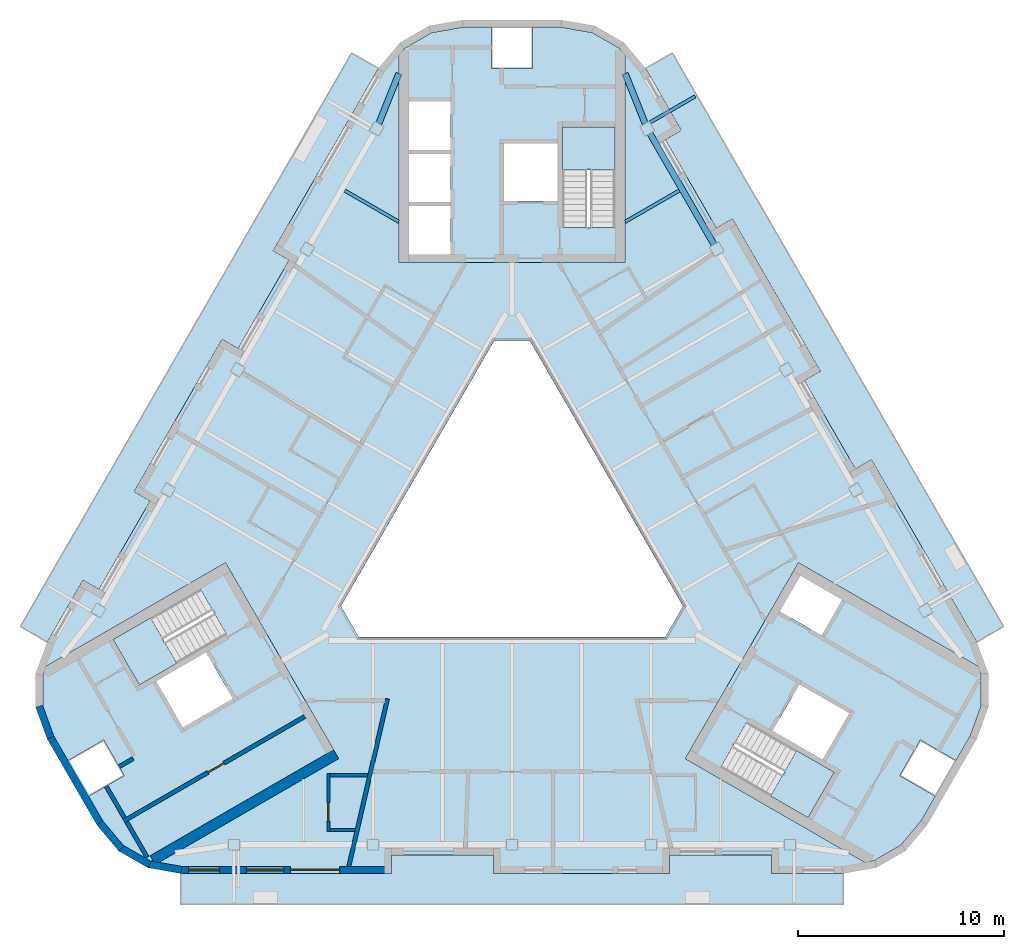
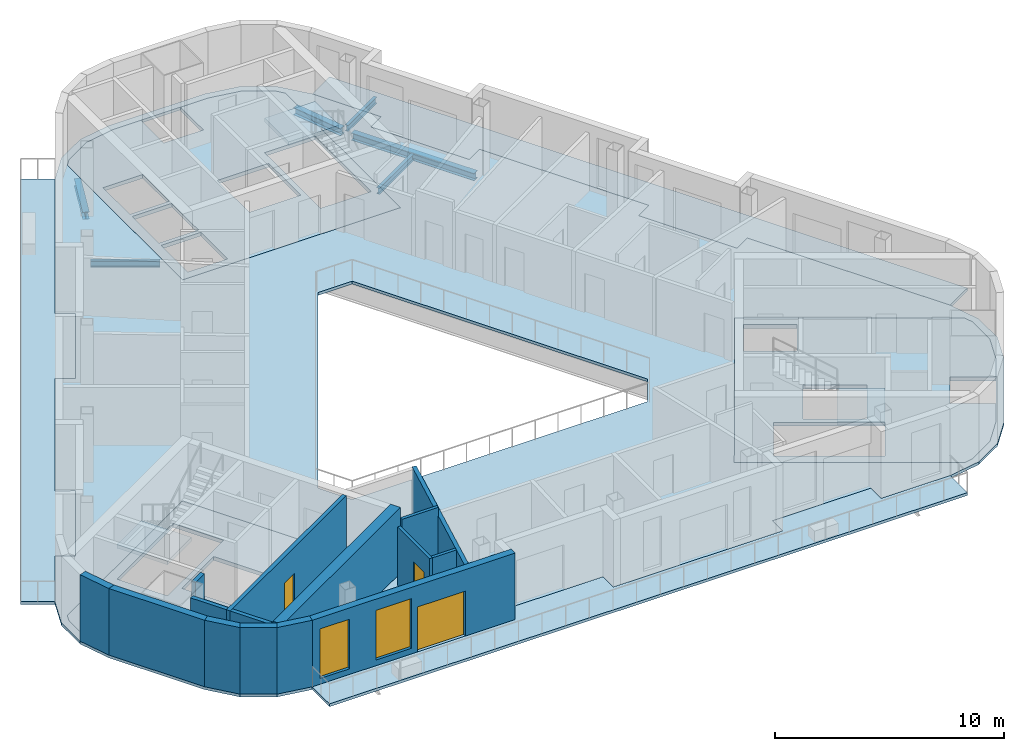
# One storey, part 2 of 12: 15 walls, 10 slabs, 6 beams, 3 doors, 2 windows, 5 openings, 3 elements without a shape of their own.
"""IFC4 building model written with IfcOpenShell, lengths in metres."""

import ifcopenshell
import ifcopenshell.guid

model = None  # the IFC model being written
_history = None  # IfcOwnerHistory: only IFC2X3 demands one
_inside = {}  # id of a spatial element -> (the spatial element, [elements in it])
_under = {}  # id of a project, library or spatial element -> (it, [spatial elements below it])
_declared = {}  # id of a project -> (the project, [libraries it declares])
_typed = {}  # id of a type object -> (the type object, [elements of that type])
_made_of = {}  # id of a material, layer set ... -> (it, [elements and type objects made of it])


def new_model(schema):
    """Start an empty IFC model of exactly this schema.

    Asked for "IFC4X3", IfcOpenShell would pick the latest addendum, in which some entities
    have other attributes; the version numbers below select the first issue.
    IFC2X3 requires an IfcOwnerHistory on every rooted entity: one is made here for all.
    """
    global model, _history
    if schema == "IFC4X3":
        model = ifcopenshell.file(schema_version=(4, 3, 0, 0))
    else:
        model = ifcopenshell.file(schema=schema)
    _inside.clear()
    _under.clear()
    _declared.clear()
    _typed.clear()
    _made_of.clear()
    _history = None
    if model.schema == "IFC2X3":
        org = make("IfcOrganization", Name="unknown")
        user = make(
            "IfcPersonAndOrganization",
            ThePerson=make("IfcPerson", FamilyName="unknown"),
            TheOrganization=org,
        )
        app = make(
            "IfcApplication",
            ApplicationDeveloper=org,
            Version="unknown",
            ApplicationFullName="unknown",
            ApplicationIdentifier="unknown",
        )
        _history = make(
            "IfcOwnerHistory",
            OwningUser=user,
            OwningApplication=app,
            ChangeAction="ADDED",
            CreationDate=0,
        )
    return model


def make(cls, **values):
    """One entity of the class cls with the attributes given. An attribute that is None is left unset."""
    return model.create_entity(
        cls, **{name: value for name, value in values.items() if value is not None}
    )


def rooted(cls, **values):
    """An entity with a GlobalId (a new one), such as an element, a storey or a relation."""
    return make(cls, GlobalId=ifcopenshell.guid.new(), OwnerHistory=_history, **values)


def si_unit(unit_type, name, prefix=None):
    """IfcSIUnit, for example si_unit("LENGTHUNIT", "METRE", prefix="MILLI")."""
    return make("IfcSIUnit", UnitType=unit_type, Prefix=prefix, Name=name)


def assignment(units):
    """IfcUnitAssignment: the units of a project."""
    return None if units is None else make("IfcUnitAssignment", Units=units)


def point(xyz):
    """IfcCartesianPoint."""
    return None if xyz is None else make("IfcCartesianPoint", Coordinates=xyz)


def direction(xyz):
    """IfcDirection."""
    return None if xyz is None else make("IfcDirection", DirectionRatios=xyz)


def frame(location, z_axis=None, x_axis=None):
    """IfcAxis2Placement3D, a coordinate frame: its origin and axes. An axis left out is left unset."""
    return make(
        "IfcAxis2Placement3D",
        Location=point(location),
        Axis=direction(z_axis),
        RefDirection=direction(x_axis),
    )


def frame_2d(location, x_axis=None):
    """IfcAxis2Placement2D, a coordinate frame in the plane: its origin and x axis."""
    return make(
        "IfcAxis2Placement2D", Location=point(location), RefDirection=direction(x_axis)
    )


def origin():
    """The frame at (0, 0, 0) with its axes left unset."""
    return frame((0.0, 0.0, 0.0))


def origin_2d():
    """The frame at (0, 0) in the plane with its x axis left unset."""
    return frame_2d((0.0, 0.0))


def place(relative_to, where):
    """IfcLocalPlacement: puts the frame where relative to a parent placement (None: the world)."""
    return make(
        "IfcLocalPlacement", PlacementRelTo=relative_to, RelativePlacement=where
    )


def context(
    kind, dimensions, precision=None, world=None, true_north=None, identifier=None
):
    """IfcGeometricRepresentationContext, for example the 3D "Model" context."""
    return make(
        "IfcGeometricRepresentationContext",
        ContextIdentifier=identifier,
        ContextType=kind,
        CoordinateSpaceDimension=dimensions,
        Precision=precision,
        WorldCoordinateSystem=world,
        TrueNorth=true_north,
    )


def subcontext(parent, identifier, kind, view, scale=None):
    """IfcGeometricRepresentationSubContext, for example "Body" below "Model"."""
    return make(
        "IfcGeometricRepresentationSubContext",
        ContextIdentifier=identifier,
        ContextType=kind,
        ParentContext=parent,
        TargetScale=scale,
        TargetView=view,
    )


def project(units=None, contexts=None):
    """IfcProject with its units and contexts."""
    return rooted(
        "IfcProject",
        Name="project",
        RepresentationContexts=contexts,
        UnitsInContext=assignment(units),
    )


def spatial(cls, under=None, at=None, **own):
    """A site, building, storey or space (cls), placed at a placement, below another one or the project."""
    s = rooted(cls, ObjectPlacement=at, **own)
    if under is not None:
        _under.setdefault(under.id(), (under, []))[1].append(s)
    return s


def polyline(points):
    """IfcPolyline through the points."""
    return make("IfcPolyline", Points=[point(p) for p in points])


def profile(cls, at=None, kind="AREA", **sizes):
    """A parametric profile (cls). Its sizes go by their IFC names, for example OverallWidth=200.0."""
    return make(cls, ProfileType=kind, Position=at, **sizes)


def rectangle(**sizes):
    """IfcRectangleProfileDef."""
    return profile("IfcRectangleProfileDef", **sizes)


def i_section(**sizes):
    """IfcIShapeProfileDef."""
    return profile("IfcIShapeProfileDef", **sizes)


def outline(outer, holes=None, kind="AREA"):
    """IfcArbitraryClosedProfileDef: a profile drawn as a closed curve; with holes, ...WithVoids."""
    if holes is None:
        return make("IfcArbitraryClosedProfileDef", ProfileType=kind, OuterCurve=outer)
    return make(
        "IfcArbitraryProfileDefWithVoids",
        ProfileType=kind,
        OuterCurve=outer,
        InnerCurves=holes,
    )


def extrude(swept, where, along, depth):
    """IfcExtrudedAreaSolid: the profile swept, set in the frame where, extruded along a direction by depth."""
    return make(
        "IfcExtrudedAreaSolid",
        SweptArea=swept,
        Position=where,
        ExtrudedDirection=direction(along),
        Depth=depth,
    )


def shape(context_of_items, identifier, shape_type, items):
    """IfcShapeRepresentation: the items that make up one representation, for example the "Body"."""
    return make(
        "IfcShapeRepresentation",
        ContextOfItems=context_of_items,
        RepresentationIdentifier=identifier,
        RepresentationType=shape_type,
        Items=items,
    )


def material(Name=None, Category=None):
    """IfcMaterial."""
    return make("IfcMaterial", Name=Name, Category=Category)


def layer(
    of_material, thickness, ventilated=None, Name=None, Category=None, Priority=None
):
    """IfcMaterialLayer: one layer of a wall or slab, of a material (None: an air gap)."""
    return make(
        "IfcMaterialLayer",
        Material=of_material,
        LayerThickness=thickness,
        IsVentilated=ventilated,
        Name=Name,
        Category=Category,
        Priority=Priority,
    )


def layer_set(layers, Name=None):
    """IfcMaterialLayerSet."""
    return make("IfcMaterialLayerSet", MaterialLayers=layers, LayerSetName=Name)


def material_profile(
    of_material, cross_section, Name=None, Category=None, Priority=None
):
    """IfcMaterialProfile: a cross section and its material."""
    return make(
        "IfcMaterialProfile",
        Name=Name,
        Material=of_material,
        Profile=cross_section,
        Priority=Priority,
        Category=Category,
    )


def profile_set(profiles, Name=None, composite=None):
    """IfcMaterialProfileSet."""
    return make(
        "IfcMaterialProfileSet",
        Name=Name,
        MaterialProfiles=profiles,
        CompositeProfile=composite,
    )


def made_of(thing, what):
    """Note that an element or type object is made of a material, layer set ...; save() writes the relation."""
    if what is not None:
        _made_of.setdefault(what.id(), (what, []))[1].append(thing)
    return thing


def type_object(cls, material=None, **own):
    """A type object (cls), such as IfcWallType, which elements share."""
    return made_of(rooted(cls, **own), material)


def element(
    cls,
    number,
    at=None,
    inside=None,
    cuts=None,
    type_object=None,
    material=None,
    context=None,
    identifier="Body",
    shape_type=None,
    held_by="IfcProductDefinitionShape",
    body=None,
    shapes=None,
    **own,
):
    """One element of the class cls, such as IfcWall. Its Tag is "e" and its number.

    at: its placement. inside: the storey or other place that contains it. cuts: it is an
    opening in that element (IfcRelVoidsElement). A single representation is given by context,
    identifier, shape_type and body (its items); several are given by shapes. held_by: the class
    of the entity that holds the representations. save() writes the other relations.
    """
    e = rooted(cls, Tag="e%d" % number, ObjectPlacement=at, **own)
    if body is not None:
        shapes = [shape(context, identifier, shape_type, body)]
    if shapes is not None:
        e.Representation = make(held_by, Representations=shapes)
    if inside is not None:
        _inside.setdefault(inside.id(), (inside, []))[1].append(e)
    if cuts is not None:
        rooted(
            "IfcRelVoidsElement", RelatingBuildingElement=cuts, RelatedOpeningElement=e
        )
    if type_object is not None:
        _typed.setdefault(type_object.id(), (type_object, []))[1].append(e)
    return made_of(e, material)


def fill(opening, filler):
    """IfcRelFillsElement: the door or window that sits in an opening."""
    return rooted(
        "IfcRelFillsElement",
        RelatingOpeningElement=opening,
        RelatedBuildingElement=filler,
    )


def aggregate(whole, parts):
    """IfcRelAggregates: a whole, such as a stair, and the parts it consists of."""
    return rooted("IfcRelAggregates", RelatingObject=whole, RelatedObjects=parts)


def save(model, path):
    """Write the relations noted so far, then the file.

    IfcRelAggregates (storeys below a building ...), IfcRelContainedInSpatialStructure (elements
    in a storey), IfcRelDefinesByType, IfcRelAssociatesMaterial and IfcRelDeclares: one each for
    every whole, place, type object, material and project.
    """
    for whole, parts in _under.values():
        aggregate(whole, parts)
    for where, things in _inside.values():
        rooted(
            "IfcRelContainedInSpatialStructure",
            RelatedElements=things,
            RelatingStructure=where,
        )
    for kind, things in _typed.values():
        rooted("IfcRelDefinesByType", RelatedObjects=things, RelatingType=kind)
    for what, things in _made_of.values():
        rooted("IfcRelAssociatesMaterial", RelatedObjects=things, RelatingMaterial=what)
    for by, libraries in _declared.values():
        rooted("IfcRelDeclares", RelatingContext=by, RelatedDefinitions=libraries)
    model.write(path)


model = new_model("IFC4")

# Units and contexts
model_context = context("Model", 3, precision=1e-05, world=origin(), true_north=direction((0.0, 1.0)))
body_context = subcontext(model_context, "Body", "Model", "MODEL_VIEW")
ifc_project = project(units=[si_unit("LENGTHUNIT", "METRE"), si_unit("AREAUNIT", "SQUARE_METRE"), si_unit("VOLUMEUNIT", "CUBIC_METRE"), si_unit("PLANEANGLEUNIT", "RADIAN"), si_unit("MASSUNIT", "GRAM", prefix="KILO")], contexts=[model_context])

# Site, building, storey
site_placement = place(None, origin())
site = spatial("IfcSite", under=ifc_project, at=site_placement, CompositionType="ELEMENT")
building_placement = place(site_placement, origin())
building = spatial("IfcBuilding", under=site, at=building_placement, Name="Apuvela Tower Hotel", CompositionType="ELEMENT")
storey_placement = place(building_placement, frame((0.0, 0.0, 305.89990234375)))
storey = spatial("IfcBuildingStorey", under=building, at=storey_placement, Name="L76", CompositionType="ELEMENT", Elevation=305.89990234375)

# Beams
ifc_material_1 = material(Name="Steel S355", Category="steel")
ifc_material_profile_1 = material_profile(ifc_material_1, i_section(OverallWidth=0.159912109375, OverallDepth=0.330078125, WebThickness=0.007568359375, FlangeThickness=0.011474609375, at=origin_2d()), Name="IPE 330")
ifc_profile_set_1 = profile_set([ifc_material_profile_1], Name="Steel S355")
beam_type_1 = type_object("IfcBeamType", Name="ENV-BALCONY-BEAM-IPE330", PredefinedType="BEAM", material=ifc_profile_set_1)
beam_1_placement = place(storey_placement, frame((6.711181640625, 19.714599609375, -0.31494140625), z_axis=(0.86602137294, 0.500006981563, 0.0), x_axis=(-0.500006981563, 0.86602137294, 0.0)))
element("IfcBeam", 1, at=beam_1_placement, inside=storey, type_object=beam_type_1, Name="Balcony cantilever beam NE3 L76", PredefinedType="BEAM", context=body_context, shape_type="SweptSolid", body=[
    extrude(i_section(OverallWidth=0.159912109375, OverallDepth=0.330078125, WebThickness=0.007568359375, FlangeThickness=0.011474609375, at=origin_2d()), origin(), (0.0, 0.0, 1.0), 2.525390625),
])
ifc_material_profile_2 = material_profile(ifc_material_1, i_section(OverallWidth=0.159912109375, OverallDepth=0.330078125, WebThickness=0.007568359375, FlangeThickness=0.011474609375, at=origin_2d()), Name="IPE 330")
ifc_profile_set_2 = profile_set([ifc_material_profile_2], Name="Steel S355")
beam_type_2 = type_object("IfcBeamType", Name="STR-B floor beam IPE 330", PredefinedType="BEAM", material=ifc_profile_set_2)
for number, where, z_axis, x_axis, name in (
    (2, (8.133056640625, 16.40234375, -0.31494140625), (-0.86601576024, -0.500016702737, 0.0), (0.500016702737, -0.86601576024, 0.0), "Floor beam B1 NE8"),
    (3, (-8.133056640625, 16.40234375, -0.31494140625), (0.86601576024, -0.500016702737, 0.0), (0.500016702737, 0.86601576024, 0.0), "Floor beam B1 NW2"),
):
    element("IfcBeam", number, at=place(storey_placement, frame(where, z_axis=z_axis, x_axis=x_axis)), inside=storey, type_object=beam_type_2, Name=name, PredefinedType="BEAM", context=body_context, shape_type="SweptSolid", body=[
        extrude(i_section(OverallWidth=0.159912109375, OverallDepth=0.330078125, WebThickness=0.007568359375, FlangeThickness=0.011474609375, at=origin_2d()), origin(), (0.0, 0.0, 1.0), 3.04052734375),
    ])
ifc_material_profile_3 = material_profile(ifc_material_1, i_section(OverallWidth=0.300048828125, OverallDepth=0.389892578125, WebThickness=0.010986328125, FlangeThickness=0.01904296875, at=origin_2d()), Name="HE 400 A")
ifc_profile_set_3 = profile_set([ifc_material_profile_3], Name="Steel S355")
beam_type_3 = type_object("IfcBeamType", Name="STR-SB spandrel beam HE 400 A", PredefinedType="SPANDREL", material=ifc_profile_set_3)
beam_2_placement = place(storey_placement, frame((9.815185546875, 13.788818359375, -0.344970703125), z_axis=(-0.499995880841, 0.866027781969, 0.0), x_axis=(-0.866027781969, -0.499995880841, 0.0)))
element("IfcBeam", 4, at=beam_2_placement, inside=storey, type_object=beam_type_3, Name="Spandrel beam SB4 NE4", PredefinedType="SPANDREL", context=body_context, shape_type="SweptSolid", body=[
    extrude(i_section(OverallWidth=0.300048828125, OverallDepth=0.389892578125, WebThickness=0.010986328125, FlangeThickness=0.01904296875, at=origin_2d()), origin(), (0.0, 0.0, 1.0), 6.208984375),
])
for number, where, z_axis, x_axis, name in (
    (5, (6.47021484375, 19.662109375, -0.344970703125), (-0.37090786597, 0.928669669453, 0.0), (-0.928669669453, -0.37090786597, 0.0), "Spandrel beam SB4 NE5-N"),
    (6, (-6.47021484375, 19.662109375, -0.344970703125), (0.37090786597, 0.928669669453, 0.0), (-0.928669669453, 0.37090786597, 0.0), "Spandrel beam SB4 NW1-N"),
):
    element("IfcBeam", number, at=place(storey_placement, frame(where, z_axis=z_axis, x_axis=x_axis)), inside=storey, type_object=beam_type_3, Name=name, PredefinedType="SPANDREL", context=body_context, shape_type="SweptSolid", body=[
        extrude(i_section(OverallWidth=0.300048828125, OverallDepth=0.389892578125, WebThickness=0.010986328125, FlangeThickness=0.01904296875, at=origin_2d()), origin(), (0.0, 0.0, 1.0), 2.61572265625),
    ])

# Slabs
ifc_material_2 = material(Name="Concrete C50/60", Category="concrete")
ifc_layer_1 = layer(ifc_material_2, 0.199951171875)
ifc_layer_set_1 = layer_set([ifc_layer_1], Name="COR-FLOOR-200")
slab_type_1 = type_object("IfcSlabType", Name="COR-FLOOR-200", PredefinedType="FLOOR", material=ifc_layer_set_1)
slab_1_placement = place(storey_placement, frame((0.0, 0.0, -0.199951171875)))
element("IfcSlab", 7, at=slab_1_placement, inside=storey, type_object=slab_type_1, Name="Core floor N", PredefinedType="FLOOR", context=body_context, shape_type="SweptSolid", body=[
    extrude(outline(polyline([(5.5, 22.98046875), (5.216552734375, 23.318115234375), (3.908203125, 24.073486328125), (2.389892578125, 24.34130859375), (1.0, 24.34130859375), (1.0, 22.34130859375), (-1.0, 22.34130859375), (-1.0, 24.34130859375), (-2.389892578125, 24.34130859375), (-3.908203125, 24.073486328125), (-5.216552734375, 23.318115234375), (-5.5, 22.98046875), (-5.5, 12.89990234375), (5.5, 12.89990234375), (5.5, 22.98046875)]), holes=[polyline([(-3.0, 13.300048828125), (-5.0, 13.300048828125), (-5.0, 15.639892578125), (-3.0, 15.639892578125), (-3.0, 13.300048828125)]), polyline([(-3.0, 15.840087890625), (-5.0, 15.840087890625), (-5.0, 18.179931640625), (-3.0, 18.179931640625), (-3.0, 15.840087890625)]), polyline([(5.0, 14.60595703125), (2.449951171875, 14.60595703125), (2.449951171875, 19.5), (5.0, 19.5), (5.0, 14.60595703125)]), polyline([(2.199951171875, 18.699951171875), (2.199951171875, 15.89990234375), (-0.39990234375, 15.89990234375), (-0.39990234375, 18.699951171875), (2.199951171875, 18.699951171875)]), polyline([(-3.0, 20.719970703125), (-3.0, 18.3798828125), (-5.0, 18.3798828125), (-5.0, 20.719970703125), (-3.0, 20.719970703125)])]), origin(), (0.0, 0.0, 1.0), 0.199951171875),
])
slab_2_placement = place(storey_placement, frame((0.0, 0.0, -0.199951171875)))
element("IfcSlab", 8, at=slab_2_placement, inside=storey, type_object=slab_type_1, Name="Core floor SW", PredefinedType="FLOOR", context=body_context, shape_type="SweptSolid", body=[
    extrude(outline(polyline([(-22.651611328125, -6.72705078125), (-22.802490234375, -7.141357421875), (-22.802490234375, -8.652099609375), (-22.275146484375, -10.10107421875), (-21.580078125, -11.3046875), (-19.84814453125, -10.3046875), (-18.84814453125, -12.03662109375), (-20.580078125, -13.03662109375), (-19.88525390625, -14.240234375), (-18.894287109375, -15.42138671875), (-17.585693359375, -16.1767578125), (-17.151611328125, -16.25341796875), (-8.421630859375, -11.213134765625), (-13.921630859375, -1.68701171875), (-22.651611328125, -6.72705078125)]), holes=[polyline([(-13.874267578125, -5.18115234375), (-18.112548828125, -7.628173828125), (-19.387451171875, -5.419921875), (-15.149169921875, -2.972900390625), (-13.874267578125, -5.18115234375)]), polyline([(-13.56982421875, -8.29638671875), (-15.99462890625, -9.6962890625), (-17.294677734375, -7.444580078125), (-14.869873046875, -6.044677734375), (-13.56982421875, -8.29638671875)])]), origin(), (0.0, 0.0, 1.0), 0.199951171875),
])
slab_3_placement = place(storey_placement, frame((0.0, 0.0, -0.199951171875)))
element("IfcSlab", 9, at=slab_3_placement, inside=storey, type_object=slab_type_1, Name="Core floor SE", PredefinedType="FLOOR", context=body_context, shape_type="SweptSolid", body=[
    extrude(outline(polyline([(17.151611328125, -16.25341796875), (17.585693359375, -16.1767578125), (18.894287109375, -15.42138671875), (19.88525390625, -14.240234375), (20.580078125, -13.03662109375), (18.84814453125, -12.03662109375), (19.84814453125, -10.3046875), (21.580078125, -11.3046875), (22.275146484375, -10.10107421875), (22.802490234375, -8.652099609375), (22.802490234375, -7.141357421875), (22.651611328125, -6.72705078125), (13.921630859375, -1.68701171875), (8.421630859375, -11.213134765625), (17.151611328125, -16.25341796875)]), holes=[polyline([(14.01806640625, -2.31982421875), (16.044677734375, -3.489990234375), (15.044677734375, -5.221923828125), (13.01806640625, -4.052001953125), (14.01806640625, -2.31982421875)]), polyline([(10.149169921875, -11.633056640625), (11.42431640625, -9.4248046875), (15.66259765625, -11.871826171875), (14.387451171875, -14.080078125), (10.149169921875, -11.633056640625)]), polyline([(12.669921875, -9.855224609375), (13.9697265625, -7.603515625), (16.394775390625, -9.003662109375), (15.0947265625, -11.25537109375), (12.669921875, -9.855224609375)])]), origin(), (0.0, 0.0, 1.0), 0.199951171875),
])

# Stair, slab
stair_type = type_object("IfcStairType", Name="COR-STAIR-22R", PredefinedType="HALF_TURN_STAIR", material=ifc_material_2)
stair_1_placement = place(storey_placement, origin())
stair_1 = element("IfcStair", 10, at=stair_1_placement, inside=storey, type_object=stair_type, Name="L76 Exit stair ST1", PredefinedType="HALF_TURN_STAIR")
ifc_layer_2 = layer(ifc_material_2, 0.199951171875)
ifc_layer_set_2 = layer_set([ifc_layer_2], Name="COR-LANDING-200")
slab_type_2 = type_object("IfcSlabType", Name="COR-LANDING-200", PredefinedType="LANDING", material=ifc_layer_set_2)
slab_4_placement = place(storey_placement, frame((0.0, 0.0, 1.650146484375)))
slab_4 = element("IfcSlab", 11, at=slab_4_placement, type_object=slab_type_2, Name="ST1 landing 1", PredefinedType="LANDING", context=body_context, shape_type="SweptSolid", body=[
    extrude(outline(polyline([(5.0, 17.39404296875), (5.0, 19.5), (2.449951171875, 19.5), (2.449951171875, 17.39404296875), (5.0, 17.39404296875)])), origin(), (0.0, 0.0, 1.0), 0.199951171875),
])
aggregate(stair_1, [slab_4])

stair_2_placement = place(storey_placement, origin())
stair_2 = element("IfcStair", 12, at=stair_2_placement, inside=storey, type_object=stair_type, Name="L76 Exit stair ST2", PredefinedType="HALF_TURN_STAIR")
slab_5_placement = place(storey_placement, frame((0.0, 0.0, 1.650146484375)))
slab_5 = element("IfcSlab", 13, at=slab_5_placement, type_object=slab_type_2, Name="ST2 landing 1", PredefinedType="LANDING", context=body_context, shape_type="SweptSolid", body=[
    extrude(outline(polyline([(-17.563720703125, -4.366943359375), (-19.387451171875, -5.419921875), (-18.112548828125, -7.628173828125), (-16.28857421875, -6.5751953125), (-17.563720703125, -4.366943359375)])), origin(), (0.0, 0.0, 1.0), 0.199951171875),
])
aggregate(stair_2, [slab_5])

stair_3_placement = place(storey_placement, origin())
stair_3 = element("IfcStair", 14, at=stair_3_placement, inside=storey, type_object=stair_type, Name="L76 Exit stair ST3", PredefinedType="HALF_TURN_STAIR")
slab_6_placement = place(storey_placement, frame((0.0, 0.0, 1.650146484375)))
slab_6 = element("IfcSlab", 15, at=slab_6_placement, type_object=slab_type_2, Name="ST3 landing 1", PredefinedType="LANDING", context=body_context, shape_type="SweptSolid", body=[
    extrude(outline(polyline([(12.563720703125, -13.027099609375), (14.387451171875, -14.080078125), (15.66259765625, -11.871826171875), (13.838623046875, -10.81884765625), (12.563720703125, -13.027099609375)])), origin(), (0.0, 0.0, 1.0), 0.199951171875),
])
aggregate(stair_3, [slab_6])

# Slabs
ifc_material_3 = material(Name="Concrete C40/50, fair-faced", Category="concrete")
ifc_layer_3 = layer(ifc_material_3, 0.14990234375)
ifc_layer_set_3 = layer_set([ifc_layer_3], Name="ENV-BALCONY-150")
slab_type_3 = type_object("IfcSlabType", Name="ENV-BALCONY-150", PredefinedType="FLOOR", material=ifc_layer_set_3)
slab_7_placement = place(storey_placement, frame((0.0, 0.0, -0.14990234375)))
element("IfcSlab", 16, at=slab_7_placement, inside=storey, type_object=slab_type_3, Name="Balcony slab S L76", PredefinedType="FLOOR", context=body_context, shape_type="SweptSolid", body=[
    extrude(outline(polyline([(16.10302734375, -18.299560546875), (-16.10302734375, -18.299560546875), (-16.10302734375, -16.78955078125), (-5.864013671875, -16.78955078125), (-5.864013671875, -15.8896484375), (-0.89501953125, -15.8896484375), (-0.89501953125, -16.78955078125), (7.65380859375, -16.78955078125), (7.65380859375, -15.8896484375), (12.622802734375, -15.8896484375), (12.622802734375, -16.78955078125), (16.10302734375, -16.78955078125), (16.10302734375, -18.299560546875)])), origin(), (0.0, 0.0, 1.0), 0.14990234375),
])
slab_8_placement = place(storey_placement, frame((0.0, 0.0, -0.14990234375)))
element("IfcSlab", 17, at=slab_8_placement, inside=storey, type_object=slab_type_3, Name="Balcony slab NE L76", PredefinedType="FLOOR", context=body_context, shape_type="SweptSolid", body=[
    extrude(outline(polyline([(14.98779296875, 7.61962890625), (10.713134765625, 15.023193359375), (9.933837890625, 14.5732421875), (7.449462890625, 18.87646484375), (8.228759765625, 19.326416015625), (6.48876953125, 22.34033203125), (7.79638671875, 23.095458984375), (23.8994140625, -4.7958984375), (22.591796875, -5.55078125), (17.47216796875, 3.31640625), (16.692626953125, 2.866455078125), (14.208251953125, 7.169677734375), (14.98779296875, 7.61962890625)])), origin(), (0.0, 0.0, 1.0), 0.14990234375),
])
slab_9_placement = place(storey_placement, frame((0.0, 0.0, -0.14990234375)))
element("IfcSlab", 18, at=slab_9_placement, inside=storey, type_object=slab_type_3, Name="Balcony slab NW L76", PredefinedType="FLOOR", context=body_context, shape_type="SweptSolid", body=[
    extrude(outline(polyline([(-23.8994140625, -4.7958984375), (-7.79638671875, 23.095458984375), (-6.48876953125, 22.34033203125), (-11.608154296875, 13.47314453125), (-10.828857421875, 13.023193359375), (-13.313232421875, 8.719970703125), (-14.0927734375, 9.169921875), (-18.3671875, 1.766357421875), (-17.587646484375, 1.31640625), (-20.072265625, -2.98681640625), (-20.8515625, -2.536865234375), (-22.591796875, -5.55078125), (-23.8994140625, -4.7958984375)])), origin(), (0.0, 0.0, 1.0), 0.14990234375),
])
ifc_material_4 = material(Name="Concrete C35/45", Category="concrete")
ifc_layer_4 = layer(ifc_material_4, 0.14990234375)
ifc_layer_set_4 = layer_set([ifc_layer_4], Name="STR-SLAB 150 floor Concrete C35/45")
slab_type_4 = type_object("IfcSlabType", Name="STR-SLAB 150 floor Concrete C35/45", PredefinedType="FLOOR", material=ifc_layer_set_4)
slab_10_placement = place(storey_placement, frame((0.0, 0.0, -0.14990234375)))
element("IfcSlab", 19, at=slab_10_placement, inside=storey, type_object=slab_type_4, Name="Floor slab S4 L76", PredefinedType="FLOOR", context=body_context, shape_type="SweptSolid", body=[
    extrude(outline(polyline([(-5.445068359375, 23.59033203125), (-4.02978515625, 24.40771484375), (-2.42041015625, 24.69140625), (2.42041015625, 24.69140625), (4.02978515625, 24.40771484375), (5.445068359375, 23.59033203125), (6.49560546875, 22.338623046875), (8.235595703125, 19.32470703125), (7.456298828125, 18.87451171875), (9.935546875, 14.580078125), (10.715087890625, 15.030029296875), (14.994384765625, 7.617919921875), (14.215087890625, 7.16796875), (16.694580078125, 2.873291015625), (17.47412109375, 3.3232421875), (22.593505859375, -5.5439453125), (23.15234375, -7.07958984375), (23.15234375, -8.7138671875), (22.593505859375, -10.24951171875), (20.173095703125, -14.44189453125), (19.122802734375, -15.693603515625), (17.70751953125, -16.5107421875), (16.097900390625, -16.794677734375), (12.617919921875, -16.794677734375), (12.617919921875, -15.89453125), (7.658935546875, -15.89453125), (7.658935546875, -16.794677734375), (-0.89990234375, -16.794677734375), (-0.89990234375, -15.89453125), (-5.85888671875, -15.89453125), (-5.85888671875, -16.794677734375), (-16.097900390625, -16.794677734375), (-17.70751953125, -16.5107421875), (-19.122802734375, -15.693603515625), (-20.173095703125, -14.44189453125), (-22.593505859375, -10.24951171875), (-23.15234375, -8.7138671875), (-23.15234375, -7.07958984375), (-22.593505859375, -5.5439453125), (-20.853515625, -2.530029296875), (-20.073974609375, -2.97998046875), (-17.594482421875, 1.314453125), (-18.3740234375, 1.764404296875), (-14.094482421875, 9.1767578125), (-13.315185546875, 8.726806640625), (-10.835693359375, 13.021240234375), (-11.614990234375, 13.47119140625), (-6.49560546875, 22.338623046875), (-5.445068359375, 23.59033203125)]), holes=[polyline([(0.865966796875, 9.10009765625), (-0.865966796875, 9.10009765625), (-8.313720703125, -3.800048828125), (-7.44775390625, -5.300048828125), (7.44775390625, -5.300048828125), (8.313720703125, -3.800048828125), (0.865966796875, 9.10009765625)]), polyline([(-5.5, 12.89990234375), (-5.5, 22.98046875), (-5.216552734375, 23.318115234375), (-3.908203125, 24.073486328125), (-2.389892578125, 24.34130859375), (2.389892578125, 24.34130859375), (3.908203125, 24.073486328125), (5.216552734375, 23.318115234375), (5.5, 22.98046875), (5.5, 12.89990234375), (-5.5, 12.89990234375)]), polyline([(-8.421630859375, -11.213134765625), (-17.151611328125, -16.25341796875), (-17.585693359375, -16.1767578125), (-18.894287109375, -15.42138671875), (-19.88525390625, -14.240234375), (-22.275146484375, -10.10107421875), (-22.802490234375, -8.652099609375), (-22.802490234375, -7.141357421875), (-22.651611328125, -6.72705078125), (-13.921630859375, -1.68701171875), (-8.421630859375, -11.213134765625)]), polyline([(13.921630859375, -1.68701171875), (22.651611328125, -6.72705078125), (22.802490234375, -7.141357421875), (22.802490234375, -8.652099609375), (22.275146484375, -10.10107421875), (19.88525390625, -14.240234375), (18.894287109375, -15.42138671875), (17.585693359375, -16.1767578125), (17.151611328125, -16.25341796875), (8.421630859375, -11.213134765625), (13.921630859375, -1.68701171875)])]), origin(), (0.0, 0.0, 1.0), 0.14990234375),
])

# Wall
ifc_layer_5 = layer(ifc_material_2, 0.5)
ifc_layer_set_5 = layer_set([ifc_layer_5], Name="COR-WALL-CORE-500")
wall_type_1 = type_object("IfcWallType", Name="COR-WALL-CORE-500", PredefinedType="SHEAR", material=ifc_layer_set_5)
wall_1_placement = place(storey_placement, frame((-8.546630859375, -10.99658203125, 0.0), z_axis=(0.0, 0.0, 1.0), x_axis=(-0.866027279078, -0.499996751883, 0.0)))
element("IfcWall", 20, at=wall_1_placement, inside=storey, type_object=wall_type_1, Name="Core wall SW", PredefinedType="SHEAR", context=body_context, shape_type="SweptSolid", body=[
    extrude(rectangle(XDim=10.29833984375, YDim=0.5, at=frame_2d((5.149169921875, 0.0))), origin(), (0.0, 0.0, 1.0), 3.5),
])

# Wall, opening, door
ifc_layer_6 = layer(ifc_material_2, 0.199951171875)
ifc_layer_set_6 = layer_set([ifc_layer_6], Name="COR-WALL-SHAFT-200")
wall_type_2 = type_object("IfcWallType", Name="COR-WALL-SHAFT-200", PredefinedType="SHEAR", material=ifc_layer_set_6)
wall_2_placement = place(storey_placement, frame((-10.068115234375, -9.16162109375, 0.0), z_axis=(0.0, 0.0, 1.0), x_axis=(-0.866032725843, -0.499987317609, 0.0)))
wall_2 = element("IfcWall", 21, at=wall_2_placement, inside=storey, type_object=wall_type_2, Name="Shaft wall SW", PredefinedType="SHEAR", context=body_context, shape_type="SweptSolid", body=[
    extrude(rectangle(XDim=10.159912109375, YDim=0.199951171875, at=frame_2d((5.080078125, 0.0))), origin(), (0.0, 0.0, 1.0), 3.5),
])
opening_1_placement = place(wall_2_placement, frame((4.530029296875, 0.0, 0.0)))
opening_1 = element("IfcOpeningElement", 22, at=opening_1_placement, cuts=wall_2, Name="Opening W-RE1", PredefinedType="OPENING", context=body_context, shape_type="SweptSolid", body=[
    extrude(rectangle(XDim=0.89990234375, YDim=2.10009765625, at=frame_2d((0.449951171875, 1.050048828125))), frame((0.0, 0.10986328125, 0.0), z_axis=(0.0, -1.0, 0.0), x_axis=(1.0, 0.0, 0.0)), (0.0, 0.0, 1.0), 0.219970703125),
])
ifc_material_5 = material(Name="Steel fire door, powder coated", Category="steel")
door_type_1 = type_object("IfcDoorType", Name="COR-DR-900", OperationType="NOTDEFINED", PredefinedType="DOOR", material=ifc_material_5)
door_1_placement = place(opening_1_placement, origin())
door_1 = element("IfcDoor", 23, at=door_1_placement, inside=storey, type_object=door_type_1, Name="Store door W-RE1", OperationType="SINGLE_SWING_LEFT", OverallHeight=2.10009765625, OverallWidth=0.89990234375, PredefinedType="DOOR", context=body_context, shape_type="SweptSolid", body=[
    extrude(rectangle(XDim=0.89990234375, YDim=2.10009765625, at=frame_2d((0.449951171875, 1.050048828125))), frame((0.0, 0.02490234375, 0.0), z_axis=(0.0, -1.0, 0.0), x_axis=(1.0, 0.0, 0.0)), (0.0, 0.0, 1.0), 0.050048828125),
])
fill(opening_1, door_1)

# Walls
wall_3_placement = place(storey_placement, frame((-19.73046875, -12.5458984375, 0.0), z_axis=(0.0, 0.0, 1.0), x_axis=(0.500004188491, -0.866022985545, 0.0)))
element("IfcWall", 24, at=wall_3_placement, inside=storey, type_object=wall_type_2, Name="Shaft wall SW", PredefinedType="SHEAR", context=body_context, shape_type="SweptSolid", body=[
    extrude(rectangle(XDim=1.80029296875, YDim=0.199951171875, at=frame_2d((0.900146484375, 0.0))), origin(), (0.0, 0.0, 1.0), 3.5),
])
wall_4_placement = place(storey_placement, frame((-18.412841796875, -11.2080078125, 0.0), z_axis=(0.0, 0.0, 1.0), x_axis=(-0.86597493103, -0.500087411186, 0.0)))
element("IfcWall", 25, at=wall_4_placement, inside=storey, type_object=wall_type_2, Name="Shaft wall SW", PredefinedType="SHEAR", context=body_context, shape_type="SweptSolid", body=[
    extrude(rectangle(XDim=0.791259765625, YDim=0.199951171875, at=frame_2d((0.3955078125, 0.0))), origin(), (0.0, 0.0, 1.0), 3.5),
])
wall_5_placement = place(storey_placement, frame((-18.73046875, -14.278076171875, 0.0), z_axis=(0.0, 0.0, 1.0), x_axis=(0.50002537861, -0.866010750942, 0.0)))
element("IfcWall", 26, at=wall_5_placement, inside=storey, type_object=wall_type_2, Name="Shaft wall SW", PredefinedType="SHEAR", context=body_context, shape_type="SweptSolid", body=[
    extrude(rectangle(XDim=2.0, YDim=0.199951171875, at=frame_2d((1.0, 0.0))), origin(), (0.0, 0.0, 1.0), 3.5),
])
ifc_material_6 = material(Name="Concrete C40/50, dark pigmented precast panel", Category="concrete")
ifc_layer_7 = layer(ifc_material_6, 0.35009765625)
ifc_layer_set_7 = layer_set([ifc_layer_7], Name="ENV-WALL-350")
wall_type_3 = type_object("IfcWallType", Name="ENV-WALL-350", PredefinedType="SOLIDWALL", material=ifc_layer_set_7)
wall_6_placement = place(storey_placement, frame((-22.988037109375, -8.654052734375, 0.0), z_axis=(0.0, 0.0, 1.0), x_axis=(0.341970966071, -0.939710518386, 0.0)))
element("IfcWall", 27, at=wall_6_placement, inside=storey, type_object=wall_type_3, Name="External wall L76-12", PredefinedType="SOLIDWALL", context=body_context, shape_type="SweptSolid", body=[
    extrude(rectangle(XDim=1.63427734375, YDim=0.35009765625, at=frame_2d((0.817138671875, 0.0))), origin(), (0.0, 0.0, 1.0), 3.550048828125),
])
wall_7_placement = place(storey_placement, frame((-22.44189453125, -10.162109375, 0.0), z_axis=(0.0, 0.0, 1.0), x_axis=(0.500012048649, -0.866018447382, 0.0)))
element("IfcWall", 28, at=wall_7_placement, inside=storey, type_object=wall_type_3, Name="External wall L76-13", PredefinedType="SOLIDWALL", context=body_context, shape_type="SweptSolid", body=[
    extrude(rectangle(XDim=4.8408203125, YDim=0.35009765625, at=frame_2d((2.42041015625, 0.0))), origin(), (0.0, 0.0, 1.0), 3.550048828125),
])
wall_8_placement = place(storey_placement, frame((-20.0390625, -14.329345703125, 0.0), z_axis=(0.0, 0.0, 1.0), x_axis=(0.642708448155, -0.766110860562, 0.0)))
element("IfcWall", 29, at=wall_8_placement, inside=storey, type_object=wall_type_3, Name="External wall L76-14", PredefinedType="SOLIDWALL", context=body_context, shape_type="SweptSolid", body=[
    extrude(rectangle(XDim=1.63427734375, YDim=0.35009765625, at=frame_2d((0.817138671875, 0.0))), origin(), (0.0, 0.0, 1.0), 3.550048828125),
])
wall_9_placement = place(storey_placement, frame((-19.03515625, -15.542236328125, 0.0), z_axis=(0.0, 0.0, 1.0), x_axis=(0.866083589932, -0.499899205091, 0.0)))
element("IfcWall", 30, at=wall_9_placement, inside=storey, type_object=wall_type_3, Name="External wall L76-15", PredefinedType="SOLIDWALL", context=body_context, shape_type="SweptSolid", body=[
    extrude(rectangle(XDim=1.634033203125, YDim=0.35009765625, at=frame_2d((0.81689453125, 0.0))), origin(), (0.0, 0.0, 1.0), 3.550048828125),
])
wall_10_placement = place(storey_placement, frame((-17.677001953125, -16.33837890625, 0.0), z_axis=(0.0, 0.0, 1.0), x_axis=(0.98479107762, -0.173742721977, 0.0)))
element("IfcWall", 31, at=wall_10_placement, inside=storey, type_object=wall_type_3, Name="External wall L76-16", PredefinedType="SOLIDWALL", context=body_context, shape_type="SweptSolid", body=[
    extrude(rectangle(XDim=1.63427734375, YDim=0.35009765625, at=frame_2d((0.817138671875, 0.0))), origin(), (0.0, 0.0, 1.0), 3.550048828125),
])

# Wall, openings, door, windows
wall_11_placement = place(storey_placement, frame((-16.097900390625, -16.61962890625, 0.0), z_axis=(0.0, 0.0, 1.0), x_axis=(1.0, 0.0, 0.0)))
wall_11 = element("IfcWall", 32, at=wall_11_placement, inside=storey, type_object=wall_type_3, Name="External wall L76-17", PredefinedType="SOLIDWALL", context=body_context, shape_type="SweptSolid", body=[
    extrude(rectangle(XDim=10.239013671875, YDim=0.35009765625, at=frame_2d((5.11962890625, 0.0))), origin(), (0.0, 0.0, 1.0), 3.550048828125),
])
opening_2_placement = place(wall_11_placement, frame((0.380615234375, 0.0, 0.300048828125)))
opening_2 = element("IfcOpeningElement", 33, at=opening_2_placement, cuts=wall_11, Name="Opening WN15", PredefinedType="OPENING", context=body_context, shape_type="SweptSolid", body=[
    extrude(rectangle(XDim=1.5, YDim=2.64990234375, at=frame_2d((0.75, 1.324951171875))), frame((0.0, 0.18505859375, 0.0), z_axis=(0.0, -1.0, 0.0), x_axis=(1.0, 0.0, 0.0)), (0.0, 0.0, 1.0), 0.3701171875),
])
opening_3_placement = place(wall_11_placement, frame((5.32080078125, 0.0, 0.0)))
opening_3 = element("IfcOpeningElement", 34, at=opening_3_placement, cuts=wall_11, Name="Opening BD24", PredefinedType="OPENING", context=body_context, shape_type="SweptSolid", body=[
    extrude(rectangle(XDim=2.39990234375, YDim=2.39990234375, at=frame_2d((1.199951171875, 1.199951171875))), frame((0.0, 0.18505859375, 0.0), z_axis=(0.0, -1.0, 0.0), x_axis=(1.0, 0.0, 0.0)), (0.0, 0.0, 1.0), 0.3701171875),
])
opening_4_placement = place(wall_11_placement, frame((3.204833984375, 0.0, 0.300048828125)))
opening_4 = element("IfcOpeningElement", 35, at=opening_4_placement, cuts=wall_11, Name="Opening WN18", PredefinedType="OPENING", context=body_context, shape_type="SweptSolid", body=[
    extrude(rectangle(XDim=1.800048828125, YDim=2.64990234375, at=frame_2d((0.89990234375, 1.324951171875))), frame((0.0, 0.18505859375, 0.0), z_axis=(0.0, -1.0, 0.0), x_axis=(1.0, 0.0, 0.0)), (0.0, 0.0, 1.0), 0.3701171875),
])
ifc_material_7 = material(Name="Aluminium 6063-T6, dark bronze anodised frame with dark tinted laminated glass", Category="aluminium")
door_type_2 = type_object("IfcDoorType", Name="ENV-DOOR-BALCONY-2400x2400", OperationType="SLIDING_TO_LEFT", PredefinedType="DOOR", material=ifc_material_7)
door_2_placement = place(opening_3_placement, frame((2.39990234375, 0.0, 0.0), z_axis=(0.0, 0.0, 1.0), x_axis=(-1.0, 0.0, 0.0)))
door_2 = element("IfcDoor", 36, at=door_2_placement, inside=storey, type_object=door_type_2, Name="Balcony door BD24", OperationType="SLIDING_TO_LEFT", OverallHeight=2.39990234375, OverallWidth=2.39990234375, PredefinedType="DOOR", context=body_context, shape_type="SweptSolid", body=[
    extrude(rectangle(XDim=2.39990234375, YDim=2.39990234375, at=frame_2d((1.199951171875, 1.199951171875))), frame((0.0, 0.02490234375, 0.0), z_axis=(0.0, -1.0, 0.0), x_axis=(1.0, 0.0, 0.0)), (0.0, 0.0, 1.0), 0.050048828125),
])
fill(opening_3, door_2)
ifc_material_8 = material(Name="Glass, dark tinted laminated insulated glazing unit", Category="glass")
window_type_1 = type_object("IfcWindowType", Name="ENV-WIN-1500x2650", PartitioningType="SINGLE_PANEL", PredefinedType="WINDOW", material=ifc_material_8)
window_1_placement = place(opening_2_placement, origin())
window_1 = element("IfcWindow", 37, at=window_1_placement, inside=storey, type_object=window_type_1, Name="Window WN15", OverallHeight=2.64990234375, OverallWidth=1.5, PartitioningType="SINGLE_PANEL", PredefinedType="WINDOW", context=body_context, shape_type="SweptSolid", body=[
    extrude(rectangle(XDim=1.5, YDim=2.64990234375, at=frame_2d((0.75, 1.324951171875))), frame((0.0, 0.030029296875, 0.0), z_axis=(0.0, -1.0, 0.0), x_axis=(1.0, 0.0, 0.0)), (0.0, 0.0, 1.0), 0.06005859375),
])
fill(opening_2, window_1)
window_type_2 = type_object("IfcWindowType", Name="ENV-WIN-1800x2650", PartitioningType="SINGLE_PANEL", PredefinedType="WINDOW", material=ifc_material_8)
window_2_placement = place(opening_4_placement, origin())
window_2 = element("IfcWindow", 38, at=window_2_placement, inside=storey, type_object=window_type_2, Name="Window WN18", OverallHeight=2.64990234375, OverallWidth=1.800048828125, PartitioningType="SINGLE_PANEL", PredefinedType="WINDOW", context=body_context, shape_type="SweptSolid", body=[
    extrude(rectangle(XDim=1.800048828125, YDim=2.64990234375, at=frame_2d((0.89990234375, 1.324951171875))), frame((0.0, 0.030029296875, 0.0), z_axis=(0.0, -1.0, 0.0), x_axis=(1.0, 0.0, 0.0)), (0.0, 0.0, 1.0), 0.06005859375),
])
fill(opening_4, window_2)

# Wall
ifc_material_9 = material(Name="Gypsum board partition on twin steel stud", Category="steel")
ifc_layer_8 = layer(ifc_material_9, 0.199951171875)
ifc_layer_set_8 = layer_set([ifc_layer_8], Name="GST-PW1")
wall_type_4 = type_object("IfcWallType", Name="GST-PW1", PredefinedType="PARTITIONING", material=ifc_layer_set_8)
wall_12_placement = place(storey_placement, frame((-7.929931640625, -16.444580078125, 0.0), z_axis=(0.0, 0.0, 1.0), x_axis=(0.224458408835, 0.974483669798, 0.0)))
element("IfcWall", 39, at=wall_12_placement, inside=storey, type_object=wall_type_4, Name="L76 partition 01", PredefinedType="PARTITIONING", context=body_context, shape_type="SweptSolid", body=[
    extrude(rectangle(XDim=8.35791015625, YDim=0.199951171875, at=frame_2d((4.178955078125, 0.0))), origin(), (0.0, 0.0, 1.0), 3.10009765625),
])

# Wall, opening, door
ifc_material_10 = material(Name="Moisture-resistant gypsum board wet wall on steel stud", Category="steel")
ifc_layer_9 = layer(ifc_material_10, 0.14990234375)
ifc_layer_set_9 = layer_set([ifc_layer_9], Name="GST-PW3")
wall_type_5 = type_object("IfcWallType", Name="GST-PW3", PredefinedType="PARTITIONING", material=ifc_layer_set_9)
wall_13_placement = place(storey_placement, frame((-8.921142578125, -11.944580078125, 0.0), z_axis=(0.0, 0.0, 1.0), x_axis=(0.0, -1.0, 0.0)))
wall_13 = element("IfcWall", 40, at=wall_13_placement, inside=storey, type_object=wall_type_5, Name="L76 partition 13", PredefinedType="PARTITIONING", context=body_context, shape_type="SweptSolid", body=[
    extrude(rectangle(XDim=2.800048828125, YDim=0.14990234375, at=frame_2d((1.39990234375, 0.0))), origin(), (0.0, 0.0, 1.0), 3.10009765625),
])
opening_5_placement = place(wall_13_placement, frame((1.39990234375, 0.0, 0.0)))
opening_5 = element("IfcOpeningElement", 41, at=opening_5_placement, cuts=wall_13, Name="Opening GD31-01", PredefinedType="OPENING", context=body_context, shape_type="SweptSolid", body=[
    extrude(rectangle(XDim=0.89990234375, YDim=2.10009765625, at=frame_2d((0.449951171875, 1.050048828125))), frame((0.0, 0.0849609375, 0.0), z_axis=(0.0, -1.0, 0.0), x_axis=(1.0, 0.0, 0.0)), (0.0, 0.0, 1.0), 0.169921875),
])
ifc_material_11 = material(Name="Timber door leaf in steel frame", Category="steel")
door_type_3 = type_object("IfcDoorType", Name="GST-D2", OperationType="NOTDEFINED", PredefinedType="DOOR", material=ifc_material_11)
door_3_placement = place(opening_5_placement, origin())
door_3 = element("IfcDoor", 42, at=door_3_placement, inside=storey, type_object=door_type_3, Name="Door L76-01", OperationType="SINGLE_SWING_RIGHT", OverallHeight=2.10009765625, OverallWidth=0.89990234375, PredefinedType="DOOR", context=body_context, shape_type="SweptSolid", body=[
    extrude(rectangle(XDim=0.89990234375, YDim=2.10009765625, at=frame_2d((0.449951171875, 1.050048828125))), frame((0.0, 0.02490234375, 0.0), z_axis=(0.0, -1.0, 0.0), x_axis=(1.0, 0.0, 0.0)), (0.0, 0.0, 1.0), 0.050048828125),
])
fill(opening_5, door_3)

# Walls
wall_14_placement = place(storey_placement, frame((-8.84619140625, -14.669677734375, 0.0), z_axis=(0.0, 0.0, 1.0), x_axis=(1.0, 0.0, 0.0)))
element("IfcWall", 43, at=wall_14_placement, inside=storey, type_object=wall_type_5, Name="L76 partition 14", PredefinedType="PARTITIONING", context=body_context, shape_type="SweptSolid", body=[
    extrude(rectangle(XDim=1.222412109375, YDim=0.14990234375, at=frame_2d((0.611328125, 0.0))), origin(), (0.0, 0.0, 1.0), 3.10009765625),
])
wall_15_placement = place(storey_placement, frame((-8.84619140625, -12.01953125, 0.0), z_axis=(0.0, 0.0, 1.0), x_axis=(1.0, 0.0, 0.0)))
element("IfcWall", 44, at=wall_15_placement, inside=storey, type_object=wall_type_5, Name="L76 partition 15", PredefinedType="PARTITIONING", context=body_context, shape_type="SweptSolid", body=[
    extrude(rectangle(XDim=1.8330078125, YDim=0.14990234375, at=frame_2d((0.91650390625, 0.0))), origin(), (0.0, 0.0, 1.0), 3.550048828125),
])

save(model, "model.ifc")
